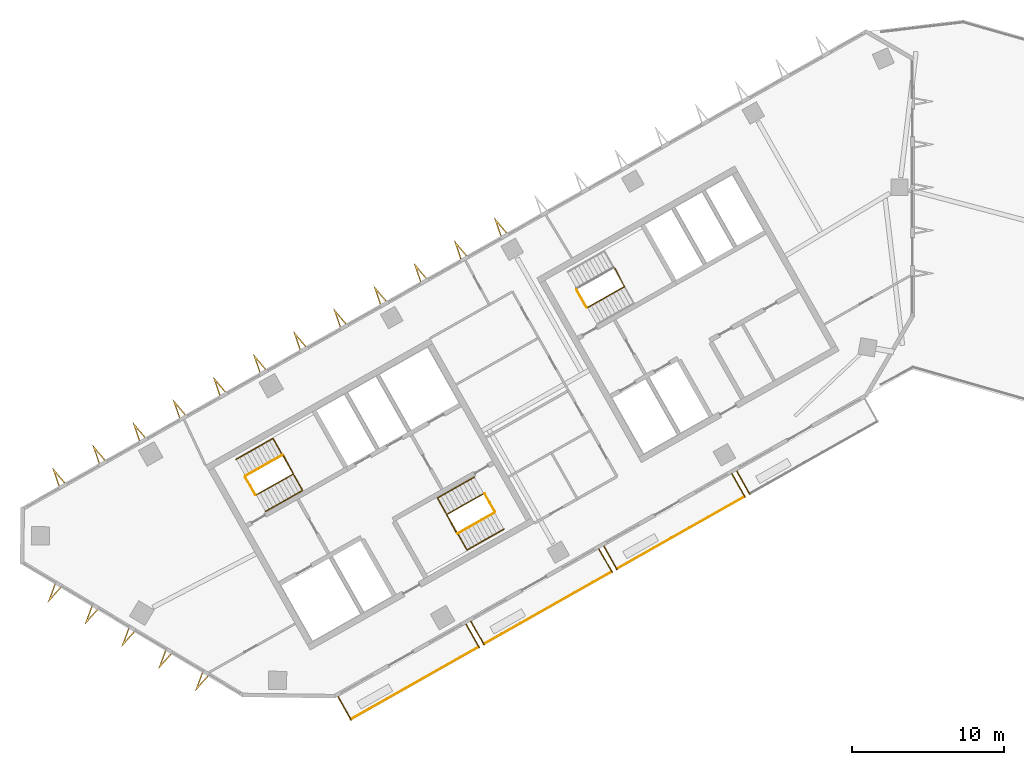
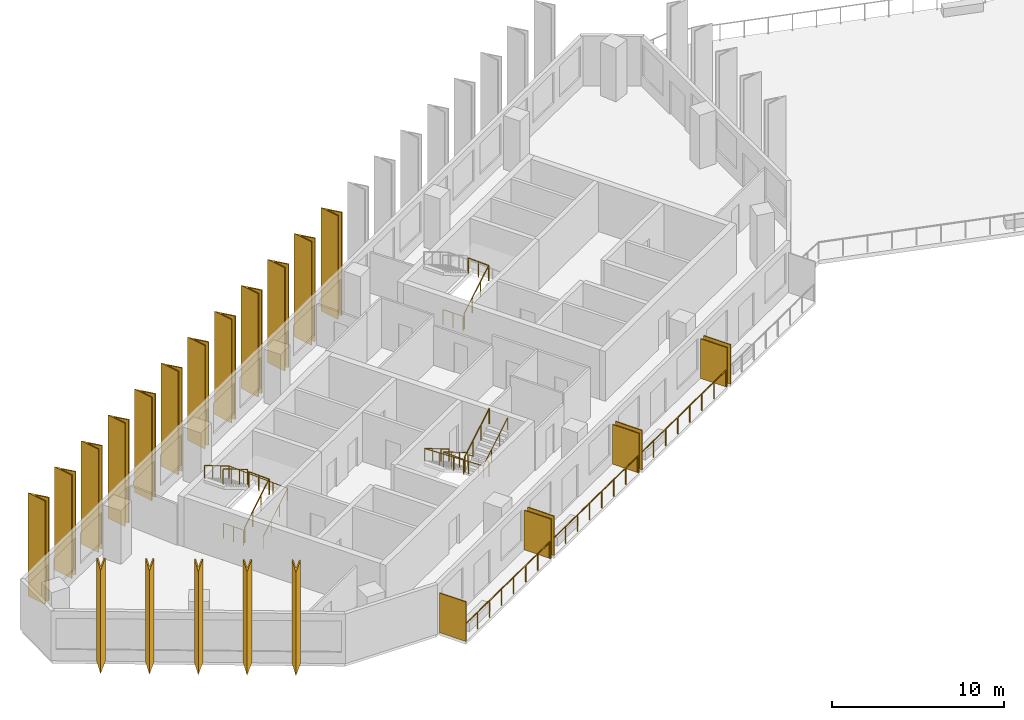
# One storey, part 6 of 8: 24 shading devices, 13 railings.
"""IFC4 building model written with IfcOpenShell, lengths in metres."""

import ifcopenshell
import ifcopenshell.guid

model = None  # the IFC model being written
_history = None  # IfcOwnerHistory: only IFC2X3 demands one
_inside = {}  # id of a spatial element -> (the spatial element, [elements in it])
_under = {}  # id of a project, library or spatial element -> (it, [spatial elements below it])
_declared = {}  # id of a project -> (the project, [libraries it declares])
_typed = {}  # id of a type object -> (the type object, [elements of that type])
_made_of = {}  # id of a material, layer set ... -> (it, [elements and type objects made of it])


def new_model(schema):
    """Start an empty IFC model of exactly this schema.

    Asked for "IFC4X3", IfcOpenShell would pick the latest addendum, in which some entities
    have other attributes; the version numbers below select the first issue.
    IFC2X3 requires an IfcOwnerHistory on every rooted entity: one is made here for all.
    """
    global model, _history
    if schema == "IFC4X3":
        model = ifcopenshell.file(schema_version=(4, 3, 0, 0))
    else:
        model = ifcopenshell.file(schema=schema)
    _inside.clear()
    _under.clear()
    _declared.clear()
    _typed.clear()
    _made_of.clear()
    _history = None
    if model.schema == "IFC2X3":
        org = make("IfcOrganization", Name="unknown")
        user = make(
            "IfcPersonAndOrganization",
            ThePerson=make("IfcPerson", FamilyName="unknown"),
            TheOrganization=org,
        )
        app = make(
            "IfcApplication",
            ApplicationDeveloper=org,
            Version="unknown",
            ApplicationFullName="unknown",
            ApplicationIdentifier="unknown",
        )
        _history = make(
            "IfcOwnerHistory",
            OwningUser=user,
            OwningApplication=app,
            ChangeAction="ADDED",
            CreationDate=0,
        )
    return model


def make(cls, **values):
    """One entity of the class cls with the attributes given. An attribute that is None is left unset."""
    return model.create_entity(
        cls, **{name: value for name, value in values.items() if value is not None}
    )


def rooted(cls, **values):
    """An entity with a GlobalId (a new one), such as an element, a storey or a relation."""
    return make(cls, GlobalId=ifcopenshell.guid.new(), OwnerHistory=_history, **values)


def si_unit(unit_type, name, prefix=None):
    """IfcSIUnit, for example si_unit("LENGTHUNIT", "METRE", prefix="MILLI")."""
    return make("IfcSIUnit", UnitType=unit_type, Prefix=prefix, Name=name)


def assignment(units):
    """IfcUnitAssignment: the units of a project."""
    return None if units is None else make("IfcUnitAssignment", Units=units)


def point(xyz):
    """IfcCartesianPoint."""
    return None if xyz is None else make("IfcCartesianPoint", Coordinates=xyz)


def direction(xyz):
    """IfcDirection."""
    return None if xyz is None else make("IfcDirection", DirectionRatios=xyz)


def frame(location, z_axis=None, x_axis=None):
    """IfcAxis2Placement3D, a coordinate frame: its origin and axes. An axis left out is left unset."""
    return make(
        "IfcAxis2Placement3D",
        Location=point(location),
        Axis=direction(z_axis),
        RefDirection=direction(x_axis),
    )


def frame_2d(location, x_axis=None):
    """IfcAxis2Placement2D, a coordinate frame in the plane: its origin and x axis."""
    return make(
        "IfcAxis2Placement2D", Location=point(location), RefDirection=direction(x_axis)
    )


def origin():
    """The frame at (0, 0, 0) with its axes left unset."""
    return frame((0.0, 0.0, 0.0))


def origin_2d():
    """The frame at (0, 0) in the plane with its x axis left unset."""
    return frame_2d((0.0, 0.0))


def place(relative_to, where):
    """IfcLocalPlacement: puts the frame where relative to a parent placement (None: the world)."""
    return make(
        "IfcLocalPlacement", PlacementRelTo=relative_to, RelativePlacement=where
    )


def context(
    kind, dimensions, precision=None, world=None, true_north=None, identifier=None
):
    """IfcGeometricRepresentationContext, for example the 3D "Model" context."""
    return make(
        "IfcGeometricRepresentationContext",
        ContextIdentifier=identifier,
        ContextType=kind,
        CoordinateSpaceDimension=dimensions,
        Precision=precision,
        WorldCoordinateSystem=world,
        TrueNorth=true_north,
    )


def subcontext(parent, identifier, kind, view, scale=None):
    """IfcGeometricRepresentationSubContext, for example "Body" below "Model"."""
    return make(
        "IfcGeometricRepresentationSubContext",
        ContextIdentifier=identifier,
        ContextType=kind,
        ParentContext=parent,
        TargetScale=scale,
        TargetView=view,
    )


def project(units=None, contexts=None):
    """IfcProject with its units and contexts."""
    return rooted(
        "IfcProject",
        Name="project",
        RepresentationContexts=contexts,
        UnitsInContext=assignment(units),
    )


def spatial(cls, under=None, at=None, **own):
    """A site, building, storey or space (cls), placed at a placement, below another one or the project."""
    s = rooted(cls, ObjectPlacement=at, **own)
    if under is not None:
        _under.setdefault(under.id(), (under, []))[1].append(s)
    return s


def polyline(points):
    """IfcPolyline through the points."""
    return make("IfcPolyline", Points=[point(p) for p in points])


def profile(cls, at=None, kind="AREA", **sizes):
    """A parametric profile (cls). Its sizes go by their IFC names, for example OverallWidth=200.0."""
    return make(cls, ProfileType=kind, Position=at, **sizes)


def rectangle(**sizes):
    """IfcRectangleProfileDef."""
    return profile("IfcRectangleProfileDef", **sizes)


def circle(**sizes):
    """IfcCircleProfileDef."""
    return profile("IfcCircleProfileDef", **sizes)


def outline(outer, holes=None, kind="AREA"):
    """IfcArbitraryClosedProfileDef: a profile drawn as a closed curve; with holes, ...WithVoids."""
    if holes is None:
        return make("IfcArbitraryClosedProfileDef", ProfileType=kind, OuterCurve=outer)
    return make(
        "IfcArbitraryProfileDefWithVoids",
        ProfileType=kind,
        OuterCurve=outer,
        InnerCurves=holes,
    )


def extrude(swept, where, along, depth):
    """IfcExtrudedAreaSolid: the profile swept, set in the frame where, extruded along a direction by depth."""
    return make(
        "IfcExtrudedAreaSolid",
        SweptArea=swept,
        Position=where,
        ExtrudedDirection=direction(along),
        Depth=depth,
    )


def shape(context_of_items, identifier, shape_type, items):
    """IfcShapeRepresentation: the items that make up one representation, for example the "Body"."""
    return make(
        "IfcShapeRepresentation",
        ContextOfItems=context_of_items,
        RepresentationIdentifier=identifier,
        RepresentationType=shape_type,
        Items=items,
    )


def material(Name=None, Category=None):
    """IfcMaterial."""
    return make("IfcMaterial", Name=Name, Category=Category)


def layer(
    of_material, thickness, ventilated=None, Name=None, Category=None, Priority=None
):
    """IfcMaterialLayer: one layer of a wall or slab, of a material (None: an air gap)."""
    return make(
        "IfcMaterialLayer",
        Material=of_material,
        LayerThickness=thickness,
        IsVentilated=ventilated,
        Name=Name,
        Category=Category,
        Priority=Priority,
    )


def layer_set(layers, Name=None):
    """IfcMaterialLayerSet."""
    return make("IfcMaterialLayerSet", MaterialLayers=layers, LayerSetName=Name)


def made_of(thing, what):
    """Note that an element or type object is made of a material, layer set ...; save() writes the relation."""
    if what is not None:
        _made_of.setdefault(what.id(), (what, []))[1].append(thing)
    return thing


def type_object(cls, material=None, **own):
    """A type object (cls), such as IfcWallType, which elements share."""
    return made_of(rooted(cls, **own), material)


def element(
    cls,
    number,
    at=None,
    inside=None,
    cuts=None,
    type_object=None,
    material=None,
    context=None,
    identifier="Body",
    shape_type=None,
    held_by="IfcProductDefinitionShape",
    body=None,
    shapes=None,
    **own,
):
    """One element of the class cls, such as IfcWall. Its Tag is "e" and its number.

    at: its placement. inside: the storey or other place that contains it. cuts: it is an
    opening in that element (IfcRelVoidsElement). A single representation is given by context,
    identifier, shape_type and body (its items); several are given by shapes. held_by: the class
    of the entity that holds the representations. save() writes the other relations.
    """
    e = rooted(cls, Tag="e%d" % number, ObjectPlacement=at, **own)
    if body is not None:
        shapes = [shape(context, identifier, shape_type, body)]
    if shapes is not None:
        e.Representation = make(held_by, Representations=shapes)
    if inside is not None:
        _inside.setdefault(inside.id(), (inside, []))[1].append(e)
    if cuts is not None:
        rooted(
            "IfcRelVoidsElement", RelatingBuildingElement=cuts, RelatedOpeningElement=e
        )
    if type_object is not None:
        _typed.setdefault(type_object.id(), (type_object, []))[1].append(e)
    return made_of(e, material)


def aggregate(whole, parts):
    """IfcRelAggregates: a whole, such as a stair, and the parts it consists of."""
    return rooted("IfcRelAggregates", RelatingObject=whole, RelatedObjects=parts)


def save(model, path):
    """Write the relations noted so far, then the file.

    IfcRelAggregates (storeys below a building ...), IfcRelContainedInSpatialStructure (elements
    in a storey), IfcRelDefinesByType, IfcRelAssociatesMaterial and IfcRelDeclares: one each for
    every whole, place, type object, material and project.
    """
    for whole, parts in _under.values():
        aggregate(whole, parts)
    for where, things in _inside.values():
        rooted(
            "IfcRelContainedInSpatialStructure",
            RelatedElements=things,
            RelatingStructure=where,
        )
    for kind, things in _typed.values():
        rooted("IfcRelDefinesByType", RelatedObjects=things, RelatingType=kind)
    for what, things in _made_of.values():
        rooted("IfcRelAssociatesMaterial", RelatedObjects=things, RelatingMaterial=what)
    for by, libraries in _declared.values():
        rooted("IfcRelDeclares", RelatingContext=by, RelatedDefinitions=libraries)
    model.write(path)


model = new_model("IFC4")

# Units and contexts
model_context = context("Model", 3, precision=1e-05, world=origin(), true_north=direction((0.0, 1.0)))
body_context = subcontext(model_context, "Body", "Model", "MODEL_VIEW")
ifc_project = project(units=[si_unit("LENGTHUNIT", "METRE"), si_unit("AREAUNIT", "SQUARE_METRE"), si_unit("VOLUMEUNIT", "CUBIC_METRE"), si_unit("PLANEANGLEUNIT", "RADIAN"), si_unit("MASSUNIT", "GRAM", prefix="KILO")], contexts=[model_context])

# Site, building, storey
site_placement = place(None, origin())
site = spatial("IfcSite", under=ifc_project, at=site_placement, CompositionType="ELEMENT")
building_placement = place(site_placement, origin())
building = spatial("IfcBuilding", under=site, at=building_placement, Name="Binnacle Exchange Tower", CompositionType="ELEMENT")
storey_placement = place(building_placement, frame((0.0, 0.0, 262.699951171875)))
storey = spatial("IfcBuildingStorey", under=building, at=storey_placement, Name="L58", CompositionType="ELEMENT", Elevation=262.699951171875)

# Railings
ifc_material_1 = material(Name="Bronze anodised aluminium frame", Category="aluminium")
railing_type_1 = type_object("IfcRailingType", Name="GUARD 1200", PredefinedType="GUARDRAIL", material=ifc_material_1)
for number, where, name in (
    (1, (-37.006591796875, 24.94287109375, 0.0), "Balcony guard H07-B00 L58"),
    (2, (-28.24365234375, 29.900634765625, 0.0), "Balcony guard H07-B01 L58"),
):
    element("IfcRailing", number, at=place(storey_placement, frame(where)), inside=storey, type_object=railing_type_1, Name=name, PredefinedType="GUARDRAIL", context=body_context, shape_type="SweptSolid", body=[
        extrude(circle(Radius=0.02392578125, at=origin_2d()), frame((0.0, 0.0, 1.17578125), z_axis=(0.870359171481, 0.492417417055, 0.0), x_axis=(-0.492417417055, 0.870359171481, 0.0)), (0.0, 0.0, 1.0), 9.648193359375),
        extrude(circle(Radius=0.02099609375, at=origin_2d()), origin(), (0.0, 0.0, 1.0), 1.15185546875),
        extrude(circle(Radius=0.02099609375, at=origin_2d()), frame((1.19970703125, 0.6787109375, 0.0)), (0.0, 0.0, 1.0), 1.15185546875),
        extrude(circle(Radius=0.02099609375, at=origin_2d()), frame((2.399169921875, 1.357421875, 0.0)), (0.0, 0.0, 1.0), 1.15185546875),
        extrude(circle(Radius=0.02099609375, at=origin_2d()), frame((3.598876953125, 2.0361328125, 0.0)), (0.0, 0.0, 1.0), 1.15185546875),
        extrude(circle(Radius=0.02099609375, at=origin_2d()), frame((4.798583984375, 2.71484375, 0.0)), (0.0, 0.0, 1.0), 1.15185546875),
        extrude(circle(Radius=0.02099609375, at=origin_2d()), frame((5.998291015625, 3.3935546875, 0.0)), (0.0, 0.0, 1.0), 1.15185546875),
        extrude(circle(Radius=0.02099609375, at=origin_2d()), frame((7.19775390625, 4.072265625, 0.0)), (0.0, 0.0, 1.0), 1.15185546875),
        extrude(circle(Radius=0.02099609375, at=origin_2d()), frame((8.3974609375, 4.7509765625, 0.0)), (0.0, 0.0, 1.0), 1.15185546875),
    ])
railing_1_placement = place(storey_placement, frame((-19.480712890625, 34.8583984375, 0.0)))
element("IfcRailing", 3, at=railing_1_placement, inside=storey, type_object=railing_type_1, Name="Balcony guard H07-B02 L58", PredefinedType="GUARDRAIL", context=body_context, shape_type="SweptSolid", body=[
    extrude(circle(Radius=0.02392578125, at=origin_2d()), frame((0.0, 0.0, 1.17578125), z_axis=(0.870342190373, 0.492447430349, 0.0), x_axis=(-0.492447430349, 0.870342190373, 0.0)), (0.0, 0.0, 1.0), 9.648193359375),
    extrude(circle(Radius=0.02099609375, at=origin_2d()), origin(), (0.0, 0.0, 1.0), 1.15185546875),
    extrude(circle(Radius=0.02099609375, at=origin_2d()), frame((1.19970703125, 0.6787109375, 0.0)), (0.0, 0.0, 1.0), 1.15185546875),
    extrude(circle(Radius=0.02099609375, at=origin_2d()), frame((2.399169921875, 1.357421875, 0.0)), (0.0, 0.0, 1.0), 1.15185546875),
    extrude(circle(Radius=0.02099609375, at=origin_2d()), frame((3.598876953125, 2.0361328125, 0.0)), (0.0, 0.0, 1.0), 1.15185546875),
    extrude(circle(Radius=0.02099609375, at=origin_2d()), frame((4.79833984375, 2.715087890625, 0.0)), (0.0, 0.0, 1.0), 1.15185546875),
    extrude(circle(Radius=0.02099609375, at=origin_2d()), frame((5.998046875, 3.393798828125, 0.0)), (0.0, 0.0, 1.0), 1.15185546875),
    extrude(circle(Radius=0.02099609375, at=origin_2d()), frame((7.197509765625, 4.072509765625, 0.0)), (0.0, 0.0, 1.0), 1.15185546875),
    extrude(circle(Radius=0.02099609375, at=origin_2d()), frame((8.397216796875, 4.751220703125, 0.0)), (0.0, 0.0, 1.0), 1.15185546875),
])

# Shading devices
ifc_material_2 = material(Name="Bronze aluminium louvre", Category="aluminium")
ifc_layer = layer(ifc_material_2, 0.06005859375)
ifc_layer_set = layer_set([ifc_layer], Name="PLANTED SCREEN 60x2800")
shading_device_type_1 = type_object("IfcShadingDeviceType", Name="PLANTED SCREEN 60x2800", PredefinedType="USERDEFINED", material=ifc_layer_set)
for number, where, z_axis, x_axis, name in (
    (4, (-37.436279296875, 25.641845703125, 0.0), (0.0, 0.0, 1.0), (0.87035569594, 0.492423560103, 0.0), "Planted screen H07-B00a L58"),
    (5, (-28.98681640625, 30.42236328125, 0.0), (0.0, 0.0, 1.0), (0.87035569594, 0.492423560103, 0.0), "Planted screen H07-B00b L58"),
    (6, (-28.673583984375, 30.599609375, 0.0), (0.0, 0.0, 1.0), (0.87035569594, 0.492423560103, 0.0), "Planted screen H07-B01a L58"),
    (7, (-20.223876953125, 35.380126953125, 0.0), (0.0, 0.0, 1.0), (0.87035569594, 0.492423560103, 0.0), "Planted screen H07-B01b L58"),
    (8, (-19.91064453125, 35.5576171875, 0.0), (0.0, 0.0, 1.0), (0.87035569594, 0.492423560103, 0.0), "Planted screen H07-B02a L58"),
    (9, (-11.461181640625, 40.337890625, 0.0), (0.0, 0.0, 1.0), (0.87035569594, 0.492423560103, 0.0), "Planted screen H07-B02b L58"),
    (10, (-11.147705078125, 40.51513671875, 0.0), (0.0, 0.0, 1.0), (0.87035569594, 0.492423560103, 0.0), "Planted screen H07-B03a L58"),
):
    element("IfcShadingDevice", number, at=place(storey_placement, frame(where, z_axis=z_axis, x_axis=x_axis)), inside=storey, type_object=shading_device_type_1, Name=name, ObjectType="SCREEN", PredefinedType="USERDEFINED", context=body_context, shape_type="SweptSolid", body=[
        extrude(rectangle(XDim=0.06005859375, YDim=1.800048828125, at=origin_2d()), origin(), (0.0, 0.0, 1.0), 2.800048828125),
    ])

# Railings
ifc_material_3 = material(Name="Steel guard rail", Category="steel")
railing_type_2 = type_object("IfcRailingType", Name="STAIR GUARD 1100", PredefinedType="GUARDRAIL", material=ifc_material_3)
railing_2_placement = place(storey_placement, frame((-43.26171875, 39.71728515625, 0.1728515625)))
element("IfcRailing", 11, at=railing_2_placement, inside=storey, type_object=railing_type_2, Name="L58 STA1 stair guard 1", PredefinedType="GUARDRAIL", context=body_context, shape_type="SweptSolid", body=[
    extrude(circle(Radius=0.02392578125, at=origin_2d()), frame((0.0, 0.0, 1.076171875), z_axis=(0.740737961854, 0.419123222656, 0.525017138862), x_axis=(-0.492453686477, 0.870338650569, 0.0)), (0.0, 0.0, 1.0), 3.2900390625),
    extrude(circle(Radius=0.02392578125, at=origin_2d()), frame((2.43701171875, 1.37890625, 2.80322265625), z_axis=(-0.461100321709, 0.887348011391, 0.0), x_axis=(-0.887348011391, -0.461100321709, 0.0)), (0.0, 0.0, 1.0), 1.40087890625),
    extrude(circle(Radius=0.02099609375, at=origin_2d()), origin(), (0.0, 0.0, 1.0), 1.052001953125),
    extrude(circle(Radius=0.02099609375, at=origin_2d()), frame((0.812255859375, 0.459716796875, 0.57568359375)), (0.0, 0.0, 1.0), 1.052001953125),
    extrude(circle(Radius=0.02099609375, at=origin_2d()), frame((1.624755859375, 0.919189453125, 1.151611328125)), (0.0, 0.0, 1.0), 1.052001953125),
    extrude(circle(Radius=0.02099609375, at=origin_2d()), frame((2.43701171875, 1.37890625, 1.727294921875)), (0.0, 0.0, 1.0), 1.052001953125),
    extrude(circle(Radius=0.02099609375, at=origin_2d()), frame((2.114013671875, 2.00048828125, 1.727294921875)), (0.0, 0.0, 1.0), 1.052001953125),
    extrude(circle(Radius=0.02099609375, at=origin_2d()), frame((1.791015625, 2.6220703125, 1.727294921875)), (0.0, 0.0, 1.0), 1.052001953125),
])
railing_3_placement = place(storey_placement, frame((-41.538818359375, 42.358154296875, 2.07275390625)))
element("IfcRailing", 12, at=railing_3_placement, inside=storey, type_object=railing_type_2, Name="L58 STA1 stair guard 2", PredefinedType="GUARDRAIL", context=body_context, shape_type="SweptSolid", body=[
    extrude(circle(Radius=0.02392578125, at=origin_2d()), frame((0.0, 0.0, 1.076171875), z_axis=(-0.740737961854, -0.419123222656, 0.525017138862), x_axis=(0.492453686477, -0.870338650569, 0.0)), (0.0, 0.0, 1.0), 3.2900390625),
    extrude(circle(Radius=0.02099609375, at=origin_2d()), origin(), (0.0, 0.0, 1.0), 1.052001953125),
    extrude(circle(Radius=0.02099609375, at=origin_2d()), frame((-0.812255859375, -0.459716796875, 0.57568359375)), (0.0, 0.0, 1.0), 1.052001953125),
    extrude(circle(Radius=0.02099609375, at=origin_2d()), frame((-1.624755859375, -0.919189453125, 1.151611328125)), (0.0, 0.0, 1.0), 1.052001953125),
    extrude(circle(Radius=0.02099609375, at=origin_2d()), frame((-2.43701171875, -1.37890625, 1.727294921875)), (0.0, 0.0, 1.0), 1.052001953125),
])
railing_4_placement = place(storey_placement, frame((-43.329833984375, 39.736328125, 0.0)))
element("IfcRailing", 13, at=railing_4_placement, inside=storey, type_object=railing_type_2, Name="L58 STA1 stair guard 3", PredefinedType="GUARDRAIL", context=body_context, shape_type="SweptSolid", body=[
    extrude(circle(Radius=0.02392578125, at=origin_2d()), frame((0.0, 0.0, 1.076171875), z_axis=(-0.4924922531, 0.870316827734, 0.0), x_axis=(-0.870316827734, -0.4924922531, 0.0)), (0.0, 0.0, 1.0), 1.349853515625),
    extrude(circle(Radius=0.02099609375, at=origin_2d()), origin(), (0.0, 0.0, 1.0), 1.052001953125),
    extrude(circle(Radius=0.02099609375, at=origin_2d()), frame((-0.33251953125, 0.58740234375, 0.0)), (0.0, 0.0, 1.0), 1.052001953125),
    extrude(circle(Radius=0.02099609375, at=origin_2d()), frame((-0.664794921875, 1.1748046875, 0.0)), (0.0, 0.0, 1.0), 1.052001953125),
])
railing_5_placement = place(storey_placement, frame((-28.265380859375, 39.814453125, 0.1728515625)))
element("IfcRailing", 14, at=railing_5_placement, inside=storey, type_object=railing_type_2, Name="L58 STA2 stair guard 1", PredefinedType="GUARDRAIL", context=body_context, shape_type="SweptSolid", body=[
    extrude(circle(Radius=0.02392578125, at=origin_2d()), frame((0.0, 0.0, 1.076171875), z_axis=(-0.740760999345, -0.419062048017, 0.525033467278), x_axis=(0.492387636113, -0.870376019777, 0.0)), (0.0, 0.0, 1.0), 3.289794921875),
    extrude(circle(Radius=0.02392578125, at=origin_2d()), frame((-2.43701171875, -1.378662109375, 2.80322265625), z_axis=(0.460963092712, -0.887419307406, 0.0), x_axis=(0.887419307406, 0.460963092712, 0.0)), (0.0, 0.0, 1.0), 1.40087890625),
    extrude(circle(Radius=0.02099609375, at=origin_2d()), origin(), (0.0, 0.0, 1.0), 1.052001953125),
    extrude(circle(Radius=0.02099609375, at=origin_2d()), frame((-0.812255859375, -0.45947265625, 0.57568359375)), (0.0, 0.0, 1.0), 1.052001953125),
    extrude(circle(Radius=0.02099609375, at=origin_2d()), frame((-1.624755859375, -0.919189453125, 1.151611328125)), (0.0, 0.0, 1.0), 1.052001953125),
    extrude(circle(Radius=0.02099609375, at=origin_2d()), frame((-2.43701171875, -1.378662109375, 1.727294921875)), (0.0, 0.0, 1.0), 1.052001953125),
    extrude(circle(Radius=0.02099609375, at=origin_2d()), frame((-2.1142578125, -2.000244140625, 1.727294921875)), (0.0, 0.0, 1.0), 1.052001953125),
    extrude(circle(Radius=0.02099609375, at=origin_2d()), frame((-1.791259765625, -2.621826171875, 1.727294921875)), (0.0, 0.0, 1.0), 1.052001953125),
])
railing_6_placement = place(storey_placement, frame((-29.988525390625, 37.173583984375, 2.07275390625)))
element("IfcRailing", 15, at=railing_6_placement, inside=storey, type_object=railing_type_2, Name="L58 STA2 stair guard 2", PredefinedType="GUARDRAIL", context=body_context, shape_type="SweptSolid", body=[
    extrude(circle(Radius=0.02392578125, at=origin_2d()), frame((0.0, 0.0, 1.076171875), z_axis=(0.740737961854, 0.419123222656, 0.525017138862), x_axis=(-0.492453686477, 0.870338650569, 0.0)), (0.0, 0.0, 1.0), 3.2900390625),
    extrude(circle(Radius=0.02099609375, at=origin_2d()), origin(), (0.0, 0.0, 1.0), 1.052001953125),
    extrude(circle(Radius=0.02099609375, at=origin_2d()), frame((0.812255859375, 0.459716796875, 0.57568359375)), (0.0, 0.0, 1.0), 1.052001953125),
    extrude(circle(Radius=0.02099609375, at=origin_2d()), frame((1.624755859375, 0.919189453125, 1.151611328125)), (0.0, 0.0, 1.0), 1.052001953125),
    extrude(circle(Radius=0.02099609375, at=origin_2d()), frame((2.43701171875, 1.37890625, 1.727294921875)), (0.0, 0.0, 1.0), 1.052001953125),
])
railing_7_placement = place(storey_placement, frame((-28.197265625, 39.795654296875, 0.0)))
element("IfcRailing", 16, at=railing_7_placement, inside=storey, type_object=railing_type_2, Name="L58 STA2 stair guard 3", PredefinedType="GUARDRAIL", context=body_context, shape_type="SweptSolid", body=[
    extrude(circle(Radius=0.02392578125, at=origin_2d()), frame((0.0, 0.0, 1.076171875), z_axis=(0.49241474071, -0.870360685654, 0.0), x_axis=(0.870360685654, 0.49241474071, 0.0)), (0.0, 0.0, 1.0), 1.35009765625),
    extrude(circle(Radius=0.02099609375, at=origin_2d()), origin(), (0.0, 0.0, 1.0), 1.052001953125),
    extrude(circle(Radius=0.02099609375, at=origin_2d()), frame((0.33251953125, -0.58740234375, 0.0)), (0.0, 0.0, 1.0), 1.052001953125),
    extrude(circle(Radius=0.02099609375, at=origin_2d()), frame((0.664794921875, -1.175048828125, 0.0)), (0.0, 0.0, 1.0), 1.052001953125),
])
railing_8_placement = place(storey_placement, frame((-21.423828125, 52.07275390625, 0.1728515625)))
element("IfcRailing", 17, at=railing_8_placement, inside=storey, type_object=railing_type_2, Name="L58 STC1 stair guard 1", PredefinedType="GUARDRAIL", context=body_context, shape_type="SweptSolid", body=[
    extrude(circle(Radius=0.02392578125, at=origin_2d()), frame((0.0, 0.0, 1.076171875), z_axis=(0.740760999345, 0.419062048017, 0.525033467278), x_axis=(-0.492387636113, 0.870376019777, 0.0)), (0.0, 0.0, 1.0), 3.289794921875),
    extrude(circle(Radius=0.02392578125, at=origin_2d()), frame((2.43701171875, 1.378662109375, 2.80322265625), z_axis=(-0.460963092712, 0.887419307406, 0.0), x_axis=(-0.887419307406, -0.460963092712, 0.0)), (0.0, 0.0, 1.0), 1.40087890625),
    extrude(circle(Radius=0.02099609375, at=origin_2d()), origin(), (0.0, 0.0, 1.0), 1.052001953125),
    extrude(circle(Radius=0.02099609375, at=origin_2d()), frame((0.812255859375, 0.45947265625, 0.57568359375)), (0.0, 0.0, 1.0), 1.052001953125),
    extrude(circle(Radius=0.02099609375, at=origin_2d()), frame((1.624755859375, 0.919189453125, 1.151611328125)), (0.0, 0.0, 1.0), 1.052001953125),
    extrude(circle(Radius=0.02099609375, at=origin_2d()), frame((2.43701171875, 1.378662109375, 1.727294921875)), (0.0, 0.0, 1.0), 1.052001953125),
    extrude(circle(Radius=0.02099609375, at=origin_2d()), frame((2.1142578125, 2.000244140625, 1.727294921875)), (0.0, 0.0, 1.0), 1.052001953125),
    extrude(circle(Radius=0.02099609375, at=origin_2d()), frame((1.791259765625, 2.621826171875, 1.727294921875)), (0.0, 0.0, 1.0), 1.052001953125),
])
railing_9_placement = place(storey_placement, frame((-21.491943359375, 52.091552734375, 0.0)))
element("IfcRailing", 18, at=railing_9_placement, inside=storey, type_object=railing_type_2, Name="L58 STC1 stair guard 3", PredefinedType="GUARDRAIL", context=body_context, shape_type="SweptSolid", body=[
    extrude(circle(Radius=0.02392578125, at=origin_2d()), frame((0.0, 0.0, 1.076171875), z_axis=(-0.49241474071, 0.870360685654, 0.0), x_axis=(-0.870360685654, -0.49241474071, 0.0)), (0.0, 0.0, 1.0), 1.35009765625),
    extrude(circle(Radius=0.02099609375, at=origin_2d()), origin(), (0.0, 0.0, 1.0), 1.052001953125),
    extrude(circle(Radius=0.02099609375, at=origin_2d()), frame((-0.33251953125, 0.58740234375, 0.0)), (0.0, 0.0, 1.0), 1.052001953125),
    extrude(circle(Radius=0.02099609375, at=origin_2d()), frame((-0.664794921875, 1.175048828125, 0.0)), (0.0, 0.0, 1.0), 1.052001953125),
])
ifc_material_4 = material(Name="Steel handrail", Category="steel")
railing_type_3 = type_object("IfcRailingType", Name="STAIR HANDRAIL 900", PredefinedType="HANDRAIL", material=ifc_material_4)
railing_10_placement = place(storey_placement, frame((-42.646240234375, 38.62939453125, 0.1728515625)))
element("IfcRailing", 19, at=railing_10_placement, inside=storey, type_object=railing_type_3, Name="L58 STA1 stair handrail 1", PredefinedType="HANDRAIL", context=body_context, shape_type="SweptSolid", body=[
    extrude(circle(Radius=0.02392578125, at=origin_2d()), frame((0.0, 0.0, 0.8759765625), z_axis=(0.740760999345, 0.419062048017, 0.525033467278), x_axis=(-0.492387636113, 0.870376019777, 0.0)), (0.0, 0.0, 1.0), 3.289794921875),
    extrude(circle(Radius=0.02392578125, at=origin_2d()), frame((2.43701171875, 1.378662109375, 2.60302734375), z_axis=(-0.491944173491, 0.869531549026, 0.043655645871), x_axis=(-0.870361318571, -0.492413622004, 0.0)), (0.0, 0.0, 1.0), 3.953857421875),
    extrude(circle(Radius=0.02392578125, at=origin_2d()), frame((0.491943359375, 4.816650390625, 2.77587890625), z_axis=(-0.740760999345, -0.419062048017, 0.525033467278), x_axis=(0.492387636113, -0.870376019777, 0.0)), (0.0, 0.0, 1.0), 3.289794921875),
    extrude(circle(Radius=0.02099609375, at=origin_2d()), origin(), (0.0, 0.0, 1.0), 0.851806640625),
    extrude(circle(Radius=0.02099609375, at=origin_2d()), frame((0.812255859375, 0.45947265625, 0.57568359375)), (0.0, 0.0, 1.0), 0.851806640625),
    extrude(circle(Radius=0.02099609375, at=origin_2d()), frame((1.624755859375, 0.919189453125, 1.151611328125)), (0.0, 0.0, 1.0), 0.851806640625),
    extrude(circle(Radius=0.02099609375, at=origin_2d()), frame((2.43701171875, 1.378662109375, 1.727294921875)), (0.0, 0.0, 1.0), 0.851806640625),
    extrude(circle(Radius=0.02099609375, at=origin_2d()), frame((1.95068359375, 2.23828125, 1.7705078125)), (0.0, 0.0, 1.0), 0.851806640625),
    extrude(circle(Radius=0.02099609375, at=origin_2d()), frame((1.46435546875, 3.09765625, 1.8134765625)), (0.0, 0.0, 1.0), 0.851806640625),
    extrude(circle(Radius=0.02099609375, at=origin_2d()), frame((0.978271484375, 3.95703125, 1.856689453125)), (0.0, 0.0, 1.0), 0.851806640625),
    extrude(circle(Radius=0.02099609375, at=origin_2d()), frame((0.491943359375, 4.816650390625, 1.89990234375)), (0.0, 0.0, 1.0), 0.851806640625),
    extrude(circle(Radius=0.02099609375, at=origin_2d()), frame((-0.3203125, 4.357177734375, 2.4755859375)), (0.0, 0.0, 1.0), 0.851806640625),
    extrude(circle(Radius=0.02099609375, at=origin_2d()), frame((-1.1328125, 3.8974609375, 3.051513671875)), (0.0, 0.0, 1.0), 0.851806640625),
    extrude(circle(Radius=0.02099609375, at=origin_2d()), frame((-1.945068359375, 3.43798828125, 3.627197265625)), (0.0, 0.0, 1.0), 0.851806640625),
])
railing_11_placement = place(storey_placement, frame((-28.880859375, 40.90234375, 0.1728515625)))
element("IfcRailing", 20, at=railing_11_placement, inside=storey, type_object=railing_type_3, Name="L58 STA2 stair handrail 1", PredefinedType="HANDRAIL", context=body_context, shape_type="SweptSolid", body=[
    extrude(circle(Radius=0.02392578125, at=origin_2d()), frame((0.0, 0.0, 0.8759765625), z_axis=(-0.740760999345, -0.419062048017, 0.525033467278), x_axis=(0.492387636113, -0.870376019777, 0.0)), (0.0, 0.0, 1.0), 3.289794921875),
    extrude(circle(Radius=0.02392578125, at=origin_2d()), frame((-2.43701171875, -1.378662109375, 2.60302734375), z_axis=(0.491944173491, -0.869531549026, 0.043655645871), x_axis=(0.870361318571, 0.492413622004, 0.0)), (0.0, 0.0, 1.0), 3.953857421875),
    extrude(circle(Radius=0.02392578125, at=origin_2d()), frame((-0.491943359375, -4.816650390625, 2.77587890625), z_axis=(0.740737961854, 0.419123222656, 0.525017138862), x_axis=(-0.492453686477, 0.870338650569, 0.0)), (0.0, 0.0, 1.0), 3.2900390625),
    extrude(circle(Radius=0.02099609375, at=origin_2d()), origin(), (0.0, 0.0, 1.0), 0.851806640625),
    extrude(circle(Radius=0.02099609375, at=origin_2d()), frame((-0.812255859375, -0.45947265625, 0.57568359375)), (0.0, 0.0, 1.0), 0.851806640625),
    extrude(circle(Radius=0.02099609375, at=origin_2d()), frame((-1.624755859375, -0.919189453125, 1.151611328125)), (0.0, 0.0, 1.0), 0.851806640625),
    extrude(circle(Radius=0.02099609375, at=origin_2d()), frame((-2.43701171875, -1.378662109375, 1.727294921875)), (0.0, 0.0, 1.0), 0.851806640625),
    extrude(circle(Radius=0.02099609375, at=origin_2d()), frame((-1.95068359375, -2.23828125, 1.7705078125)), (0.0, 0.0, 1.0), 0.851806640625),
    extrude(circle(Radius=0.02099609375, at=origin_2d()), frame((-1.46435546875, -3.09765625, 1.8134765625)), (0.0, 0.0, 1.0), 0.851806640625),
    extrude(circle(Radius=0.02099609375, at=origin_2d()), frame((-0.978271484375, -3.95703125, 1.856689453125)), (0.0, 0.0, 1.0), 0.851806640625),
    extrude(circle(Radius=0.02099609375, at=origin_2d()), frame((-0.491943359375, -4.816650390625, 1.89990234375)), (0.0, 0.0, 1.0), 0.851806640625),
    extrude(circle(Radius=0.02099609375, at=origin_2d()), frame((0.3203125, -4.35693359375, 2.4755859375)), (0.0, 0.0, 1.0), 0.851806640625),
    extrude(circle(Radius=0.02099609375, at=origin_2d()), frame((1.1328125, -3.8974609375, 3.051513671875)), (0.0, 0.0, 1.0), 0.851806640625),
    extrude(circle(Radius=0.02099609375, at=origin_2d()), frame((1.945068359375, -3.437744140625, 3.627197265625)), (0.0, 0.0, 1.0), 0.851806640625),
])

# Shading devices
ifc_material_5 = material(Name="Bronze aluminium cladding", Category="aluminium")
shading_device_type_2 = type_object("IfcShadingDeviceType", Name="V FIN 1300 DEEP x 7320 HIGH", PredefinedType="USERDEFINED", material=ifc_material_5)
shading_device_1_placement = place(storey_placement, origin())
element("IfcShadingDevice", 21, at=shading_device_1_placement, inside=storey, type_object=shading_device_type_2, Name="V fin FN-H03-09 L58", ObjectType="FIN", PredefinedType="USERDEFINED", context=body_context, shape_type="SweptSolid", body=[
    extrude(outline(polyline([(-26.72900390625, 57.02099609375), (-27.586669921875, 58.029541015625), (-27.1640625, 56.77490234375), (-27.09326171875, 56.81494140625), (-27.3779296875, 57.660888671875), (-26.7998046875, 56.98095703125), (-26.72900390625, 57.02099609375)])), origin(), (0.0, 0.0, 1.0), 7.320068359375),
])
shading_device_2_placement = place(storey_placement, origin())
element("IfcShadingDevice", 22, at=shading_device_2_placement, inside=storey, type_object=shading_device_type_2, Name="V fin FN-H03-10 L58", ObjectType="FIN", PredefinedType="USERDEFINED", context=body_context, shape_type="SweptSolid", body=[
    extrude(outline(polyline([(-29.377685546875, 55.5224609375), (-30.2353515625, 56.531005859375), (-29.812744140625, 55.2763671875), (-29.741943359375, 55.31640625), (-30.026611328125, 56.162109375), (-29.448486328125, 55.482421875), (-29.377685546875, 55.5224609375)])), origin(), (0.0, 0.0, 1.0), 7.320068359375),
])
shading_device_3_placement = place(storey_placement, origin())
element("IfcShadingDevice", 23, at=shading_device_3_placement, inside=storey, type_object=shading_device_type_2, Name="V fin FN-H03-11 L58", ObjectType="FIN", PredefinedType="USERDEFINED", context=body_context, shape_type="SweptSolid", body=[
    extrude(outline(polyline([(-32.0263671875, 54.02392578125), (-32.884033203125, 55.032470703125), (-32.46142578125, 53.77783203125), (-32.390625, 53.81787109375), (-32.67529296875, 54.663818359375), (-32.09716796875, 53.98388671875), (-32.0263671875, 54.02392578125)])), origin(), (0.0, 0.0, 1.0), 7.320068359375),
])
shading_device_4_placement = place(storey_placement, origin())
element("IfcShadingDevice", 24, at=shading_device_4_placement, inside=storey, type_object=shading_device_type_2, Name="V fin FN-H03-12 L58", ObjectType="FIN", PredefinedType="USERDEFINED", context=body_context, shape_type="SweptSolid", body=[
    extrude(outline(polyline([(-34.675048828125, 52.525390625), (-35.53271484375, 53.53369140625), (-35.110107421875, 52.279296875), (-35.039306640625, 52.3193359375), (-35.32421875, 53.1650390625), (-34.745849609375, 52.4853515625), (-34.675048828125, 52.525390625)])), origin(), (0.0, 0.0, 1.0), 7.320068359375),
])
shading_device_5_placement = place(storey_placement, origin())
element("IfcShadingDevice", 25, at=shading_device_5_placement, inside=storey, type_object=shading_device_type_2, Name="V fin FN-H03-13 L58", ObjectType="FIN", PredefinedType="USERDEFINED", context=body_context, shape_type="SweptSolid", body=[
    extrude(outline(polyline([(-37.32373046875, 51.02685546875), (-38.181640625, 52.03515625), (-37.759033203125, 50.780517578125), (-37.68798828125, 50.82080078125), (-37.972900390625, 51.66650390625), (-37.394775390625, 50.98681640625), (-37.32373046875, 51.02685546875)])), origin(), (0.0, 0.0, 1.0), 7.320068359375),
])
shading_device_6_placement = place(storey_placement, origin())
element("IfcShadingDevice", 26, at=shading_device_6_placement, inside=storey, type_object=shading_device_type_2, Name="V fin FN-H03-14 L58", ObjectType="FIN", PredefinedType="USERDEFINED", context=body_context, shape_type="SweptSolid", body=[
    extrude(outline(polyline([(-39.972412109375, 49.5283203125), (-40.830322265625, 50.53662109375), (-40.40771484375, 49.281982421875), (-40.3369140625, 49.322021484375), (-40.62158203125, 50.16796875), (-40.04345703125, 49.488037109375), (-39.972412109375, 49.5283203125)])), origin(), (0.0, 0.0, 1.0), 7.320068359375),
])
shading_device_7_placement = place(storey_placement, origin())
element("IfcShadingDevice", 27, at=shading_device_7_placement, inside=storey, type_object=shading_device_type_2, Name="V fin FN-H03-15 L58", ObjectType="FIN", PredefinedType="USERDEFINED", context=body_context, shape_type="SweptSolid", body=[
    extrude(outline(polyline([(-42.621337890625, 48.029541015625), (-43.47900390625, 49.0380859375), (-43.056396484375, 47.783447265625), (-42.985595703125, 47.823486328125), (-43.2705078125, 48.669189453125), (-42.692138671875, 47.989501953125), (-42.621337890625, 48.029541015625)])), origin(), (0.0, 0.0, 1.0), 7.320068359375),
])
shading_device_8_placement = place(storey_placement, origin())
element("IfcShadingDevice", 28, at=shading_device_8_placement, inside=storey, type_object=shading_device_type_2, Name="V fin FN-H03-16 L58", ObjectType="FIN", PredefinedType="USERDEFINED", context=body_context, shape_type="SweptSolid", body=[
    extrude(outline(polyline([(-45.27001953125, 46.531005859375), (-46.127685546875, 47.539306640625), (-45.705078125, 46.284912109375), (-45.63427734375, 46.324951171875), (-45.919189453125, 47.170654296875), (-45.3408203125, 46.490966796875), (-45.27001953125, 46.531005859375)])), origin(), (0.0, 0.0, 1.0), 7.320068359375),
])
shading_device_9_placement = place(storey_placement, origin())
element("IfcShadingDevice", 29, at=shading_device_9_placement, inside=storey, type_object=shading_device_type_2, Name="V fin FN-H03-17 L58", ObjectType="FIN", PredefinedType="USERDEFINED", context=body_context, shape_type="SweptSolid", body=[
    extrude(outline(polyline([(-47.918701171875, 45.032470703125), (-48.776611328125, 46.040771484375), (-48.35400390625, 44.7861328125), (-48.283203125, 44.826416015625), (-48.56787109375, 45.672119140625), (-47.98974609375, 44.9921875), (-47.918701171875, 45.032470703125)])), origin(), (0.0, 0.0, 1.0), 7.320068359375),
])
shading_device_10_placement = place(storey_placement, origin())
element("IfcShadingDevice", 30, at=shading_device_10_placement, inside=storey, type_object=shading_device_type_2, Name="V fin FN-H03-18 L58", ObjectType="FIN", PredefinedType="USERDEFINED", context=body_context, shape_type="SweptSolid", body=[
    extrude(outline(polyline([(-50.5673828125, 43.533935546875), (-51.42529296875, 44.542236328125), (-51.002685546875, 43.28759765625), (-50.931884765625, 43.327880859375), (-51.216552734375, 44.173583984375), (-50.638427734375, 43.493896484375), (-50.5673828125, 43.533935546875)])), origin(), (0.0, 0.0, 1.0), 7.320068359375),
])
shading_device_11_placement = place(storey_placement, origin())
element("IfcShadingDevice", 31, at=shading_device_11_placement, inside=storey, type_object=shading_device_type_2, Name="V fin FN-H03-19 L58", ObjectType="FIN", PredefinedType="USERDEFINED", context=body_context, shape_type="SweptSolid", body=[
    extrude(outline(polyline([(-53.21630859375, 42.035400390625), (-54.073974609375, 43.043701171875), (-53.6513671875, 41.7890625), (-53.58056640625, 41.8291015625), (-53.865234375, 42.675048828125), (-53.287109375, 41.9951171875), (-53.21630859375, 42.035400390625)])), origin(), (0.0, 0.0, 1.0), 7.320068359375),
])
shading_device_12_placement = place(storey_placement, origin())
element("IfcShadingDevice", 32, at=shading_device_12_placement, inside=storey, type_object=shading_device_type_2, Name="V fin FN-H03-20 L58", ObjectType="FIN", PredefinedType="USERDEFINED", context=body_context, shape_type="SweptSolid", body=[
    extrude(outline(polyline([(-55.864990234375, 40.53662109375), (-56.722900390625, 41.545166015625), (-56.30029296875, 40.29052734375), (-56.229248046875, 40.33056640625), (-56.51416015625, 41.176513671875), (-55.935791015625, 40.49658203125), (-55.864990234375, 40.53662109375)])), origin(), (0.0, 0.0, 1.0), 7.320068359375),
])
shading_device_13_placement = place(storey_placement, origin())
element("IfcShadingDevice", 33, at=shading_device_13_placement, inside=storey, type_object=shading_device_type_2, Name="V fin FN-H05-01 L58", ObjectType="FIN", PredefinedType="USERDEFINED", context=body_context, shape_type="SweptSolid", body=[
    extrude(outline(polyline([(-56.566162109375, 33.842529296875), (-57.021240234375, 32.599365234375), (-56.137451171875, 33.5849609375), (-56.207275390625, 33.626953125), (-56.80322265625, 32.96240234375), (-56.496337890625, 33.800537109375), (-56.566162109375, 33.842529296875)])), origin(), (0.0, 0.0, 1.0), 7.320068359375),
])
shading_device_14_placement = place(storey_placement, origin())
element("IfcShadingDevice", 34, at=shading_device_14_placement, inside=storey, type_object=shading_device_type_2, Name="V fin FN-H05-02 L58", ObjectType="FIN", PredefinedType="USERDEFINED", context=body_context, shape_type="SweptSolid", body=[
    extrude(outline(polyline([(-54.137451171875, 32.38330078125), (-54.592529296875, 31.14013671875), (-53.708740234375, 32.12548828125), (-53.778564453125, 32.16748046875), (-54.37451171875, 31.503173828125), (-54.067626953125, 32.34130859375), (-54.137451171875, 32.38330078125)])), origin(), (0.0, 0.0, 1.0), 7.320068359375),
])
shading_device_15_placement = place(storey_placement, origin())
element("IfcShadingDevice", 35, at=shading_device_15_placement, inside=storey, type_object=shading_device_type_2, Name="V fin FN-H05-03 L58", ObjectType="FIN", PredefinedType="USERDEFINED", context=body_context, shape_type="SweptSolid", body=[
    extrude(outline(polyline([(-51.708740234375, 30.923828125), (-52.1640625, 29.680908203125), (-51.2802734375, 30.666259765625), (-51.35009765625, 30.708251953125), (-51.94580078125, 30.0439453125), (-51.638916015625, 30.8818359375), (-51.708740234375, 30.923828125)])), origin(), (0.0, 0.0, 1.0), 7.320068359375),
])
shading_device_16_placement = place(storey_placement, origin())
element("IfcShadingDevice", 36, at=shading_device_16_placement, inside=storey, type_object=shading_device_type_2, Name="V fin FN-H05-04 L58", ObjectType="FIN", PredefinedType="USERDEFINED", context=body_context, shape_type="SweptSolid", body=[
    extrude(outline(polyline([(-49.280029296875, 29.464599609375), (-49.7353515625, 28.2216796875), (-48.8515625, 29.20703125), (-48.92138671875, 29.2490234375), (-49.51708984375, 28.584716796875), (-49.210205078125, 29.422607421875), (-49.280029296875, 29.464599609375)])), origin(), (0.0, 0.0, 1.0), 7.320068359375),
])
shading_device_17_placement = place(storey_placement, origin())
element("IfcShadingDevice", 37, at=shading_device_17_placement, inside=storey, type_object=shading_device_type_2, Name="V fin FN-H05-05 L58", ObjectType="FIN", PredefinedType="USERDEFINED", context=body_context, shape_type="SweptSolid", body=[
    extrude(outline(polyline([(-46.8515625, 28.00537109375), (-47.306640625, 26.76220703125), (-46.4228515625, 27.747802734375), (-46.49267578125, 27.789794921875), (-47.088623046875, 27.12548828125), (-46.78173828125, 27.96337890625), (-46.8515625, 28.00537109375)])), origin(), (0.0, 0.0, 1.0), 7.320068359375),
])

save(model, "model.ifc")
